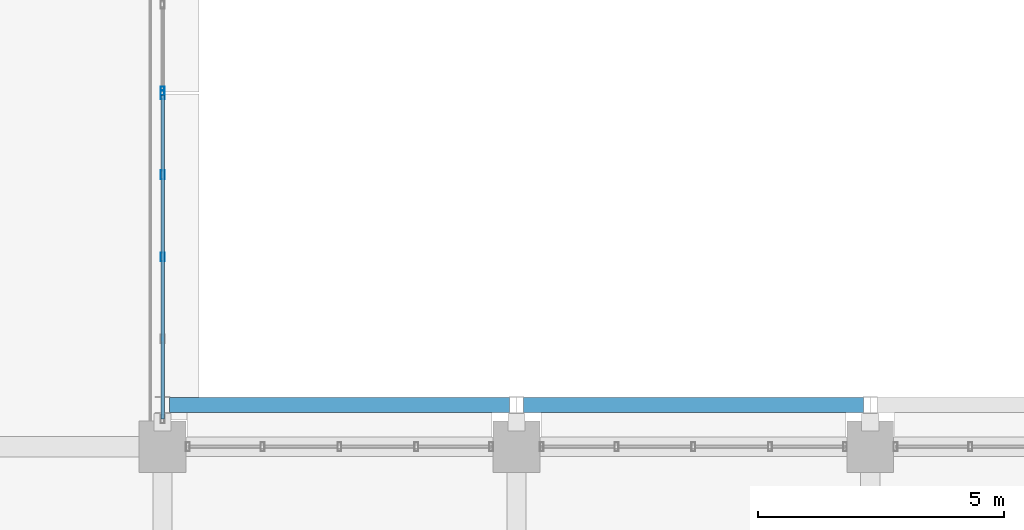
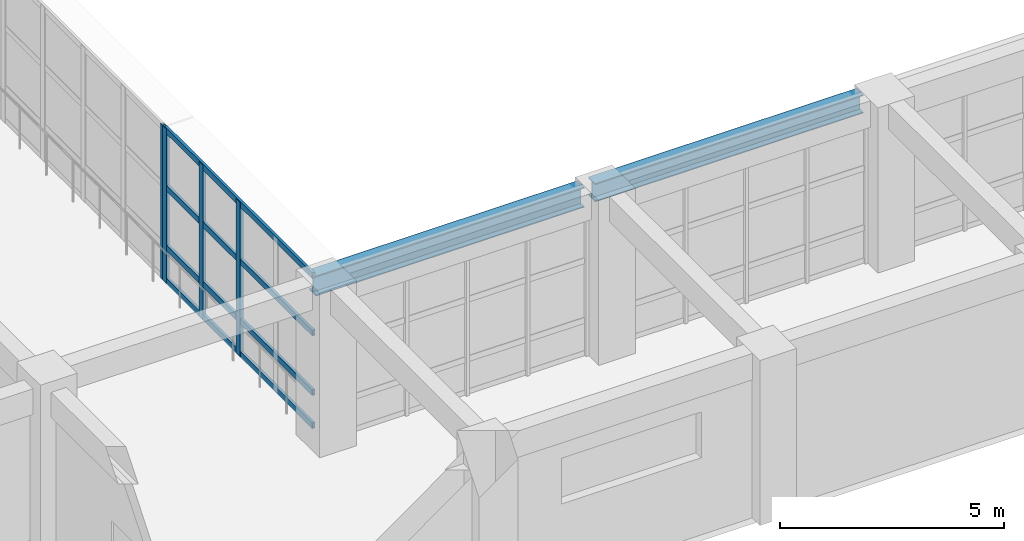
# One storey, part 32 of 171: 8 members, 2 beams, 2 elements without a shape of their own.
"""IFC4 building model written with IfcOpenShell, lengths in metres."""

from ifc_helpers import new_model, si_unit, direction, frame, origin, origin_2d, place, context, subcontext, project, spatial, hollow_rectangle, i_section, extrude, material, material_profile, profile_set, type_object, element, aggregate, save


model = new_model("IFC4")

# Units and contexts
model_context = context("Model", 3, precision=1e-05, world=origin(), true_north=direction((0.0, 1.0)))
body_context = subcontext(model_context, "Body", "Model", "MODEL_VIEW")
ifc_project = project(units=[si_unit("LENGTHUNIT", "METRE"), si_unit("AREAUNIT", "SQUARE_METRE"), si_unit("VOLUMEUNIT", "CUBIC_METRE"), si_unit("PLANEANGLEUNIT", "RADIAN"), si_unit("MASSUNIT", "GRAM", prefix="KILO")], contexts=[model_context])

# Site, building, storey
site_placement = place(None, origin())
site = spatial("IfcSite", under=ifc_project, at=site_placement, CompositionType="ELEMENT")
building_placement = place(site_placement, origin())
building = spatial("IfcBuilding", under=site, at=building_placement, Name="Thalmaran Polytechnic", CompositionType="ELEMENT")
storey_placement = place(building_placement, frame((0.0, 0.0, 5.39990234375)))
storey = spatial("IfcBuildingStorey", under=building, at=storey_placement, Name="L01", CompositionType="ELEMENT", Elevation=5.39990234375)

# Beams
ifc_material_1 = material(Name="Steel S355", Category="steel")
ifc_material_profile_1 = material_profile(ifc_material_1, i_section(OverallWidth=0.300048828125, OverallDepth=0.550048828125, WebThickness=0.014892578125, FlangeThickness=0.029052734375, at=origin_2d()), Name="HEB 550")
ifc_profile_set_1 = profile_set([ifc_material_profile_1], Name="Steel S355")
beam_type_1 = type_object("IfcBeamType", Name="BM-CRN1", PredefinedType="BEAM", material=ifc_profile_set_1)
beam_1_placement = place(storey_placement, frame((115.340087890625, 8.050048828125, 3.72509765625), z_axis=(1.0, 0.0, 0.0), x_axis=(0.0, 1.0, 0.0)))
element("IfcBeam", 1, at=beam_1_placement, inside=storey, type_object=beam_type_1, Name="Workshop Crane Runway Beam Y1-16", PredefinedType="BEAM", context=body_context, shape_type="SweptSolid", body=[
    extrude(i_section(OverallWidth=0.300048828125, OverallDepth=0.550048828125, WebThickness=0.014892578125, FlangeThickness=0.029052734375, at=origin_2d()), origin(), (0.0, 0.0, 1.0), 6.919921875),
])
ifc_material_profile_2 = material_profile(ifc_material_1, i_section(OverallWidth=0.300048828125, OverallDepth=0.5, WebThickness=0.014404296875, FlangeThickness=0.028076171875, at=origin_2d()), Name="HEB 500")
ifc_profile_set_2 = profile_set([ifc_material_profile_2], Name="Steel S355")
beam_type_2 = type_object("IfcBeamType", Name="BM-CRN2", PredefinedType="BEAM", material=ifc_profile_set_2)
beam_2_placement = place(storey_placement, frame((122.5400390625, 8.050048828125, 3.75), z_axis=(1.0, 0.0, 0.0), x_axis=(0.0, 1.0, 0.0)))
element("IfcBeam", 2, at=beam_2_placement, inside=storey, type_object=beam_type_2, Name="Workshop Crane Runway Beam Y1-17", PredefinedType="BEAM", context=body_context, shape_type="SweptSolid", body=[
    extrude(i_section(OverallWidth=0.300048828125, OverallDepth=0.5, WebThickness=0.014404296875, FlangeThickness=0.028076171875, at=origin_2d()), origin(), (0.0, 0.0, 1.0), 6.919921875),
])

# Curtain wall, member
ifc_material_2 = material(Name="Aluminium 6063-T6", Category="aluminium")
curtain_wall_type = type_object("IfcCurtainWallType", Name="CW-UC02", PredefinedType="USERDEFINED", material=ifc_material_2)
curtain_wall_1_placement = place(storey_placement, origin())
curtain_wall_1 = element("IfcCurtainWall", 3, at=curtain_wall_1_placement, inside=storey, type_object=curtain_wall_type, Name="Curtain Wall CW-L01-109", ObjectType="UNITISED CURTAIN WALL", PredefinedType="USERDEFINED")
ifc_material_profile_3 = material_profile(ifc_material_2, hollow_rectangle(XDim=0.080078125, YDim=0.179931640625, WallThickness=0.0048828125, at=origin_2d()), Name="RHS 180x80x5.0")
ifc_profile_set_3 = profile_set([ifc_material_profile_3], Name="Aluminium 6063-T6")
member_type_1 = type_object("IfcMemberType", Name="CW-MUL1", PredefinedType="MULLION", material=ifc_profile_set_3)
member_1_placement = place(storey_placement, frame((115.199951171875, 14.43994140625, 0.0), z_axis=(0.0, 0.0, 1.0), x_axis=(1.0, 0.0, 0.0)))
member_1 = element("IfcMember", 4, at=member_1_placement, type_object=member_type_1, Name="CW-L01-109 Mullion 5", PredefinedType="MULLION", context=body_context, shape_type="SweptSolid", body=[
    extrude(hollow_rectangle(XDim=0.080078125, YDim=0.179931640625, WallThickness=0.0048828125, at=origin_2d()), origin(), (0.0, 0.0, 1.0), 4.210205078125),
])
aggregate(curtain_wall_1, [member_1])

# Curtain wall, members
curtain_wall_2_placement = place(storey_placement, origin())
curtain_wall_2 = element("IfcCurtainWall", 5, at=curtain_wall_2_placement, inside=storey, type_object=curtain_wall_type, Name="Curtain Wall CW-L01-110", ObjectType="UNITISED CURTAIN WALL", PredefinedType="USERDEFINED")
member_2_placement = place(storey_placement, frame((115.199951171875, 14.360107421875, 0.0), z_axis=(0.0, 0.0, 1.0), x_axis=(1.0, 0.0, 0.0)))
member_2 = element("IfcMember", 6, at=member_2_placement, type_object=member_type_1, Name="CW-L01-110 Mullion 1", PredefinedType="MULLION", context=body_context, shape_type="SweptSolid", body=[
    extrude(hollow_rectangle(XDim=0.080078125, YDim=0.179931640625, WallThickness=0.0048828125, at=origin_2d()), origin(), (0.0, 0.0, 1.0), 4.210205078125),
])
member_3_placement = place(storey_placement, frame((115.199951171875, 12.731201171875, 0.0), z_axis=(0.0, 0.0, 1.0), x_axis=(1.0, 0.0, 0.0)))
member_3 = element("IfcMember", 7, at=member_3_placement, type_object=member_type_1, Name="CW-L01-110 Mullion 2", PredefinedType="MULLION", context=body_context, shape_type="SweptSolid", body=[
    extrude(hollow_rectangle(XDim=0.080078125, YDim=0.179931640625, WallThickness=0.0048828125, at=origin_2d()), origin(), (0.0, 0.0, 1.0), 4.210205078125),
])
member_4_placement = place(storey_placement, frame((115.199951171875, 11.0625, 0.0), z_axis=(0.0, 0.0, 1.0), x_axis=(1.0, 0.0, 0.0)))
member_4 = element("IfcMember", 8, at=member_4_placement, type_object=member_type_1, Name="CW-L01-110 Mullion 3", PredefinedType="MULLION", context=body_context, shape_type="SweptSolid", body=[
    extrude(hollow_rectangle(XDim=0.080078125, YDim=0.179931640625, WallThickness=0.0048828125, at=origin_2d()), origin(), (0.0, 0.0, 1.0), 4.210205078125),
])
ifc_material_profile_4 = material_profile(ifc_material_2, hollow_rectangle(XDim=0.070068359375, YDim=0.159912109375, WallThickness=0.00390625, at=origin_2d()), Name="AL 160x70x4.0")
ifc_profile_set_4 = profile_set([ifc_material_profile_4], Name="Aluminium 6063-T6")
member_type_2 = type_object("IfcMemberType", Name="CW-TRN1", PredefinedType="USERDEFINED", material=ifc_profile_set_4)
member_5_placement = place(storey_placement, frame((115.199951171875, 14.360107421875, 0.06005859375), z_axis=(0.0, -1.0, 0.0), x_axis=(1.0, 0.0, 0.0)))
member_5 = element("IfcMember", 9, at=member_5_placement, type_object=member_type_2, Name="CW-L01-110 Transom 1", ObjectType="TRANSOM", PredefinedType="USERDEFINED", context=body_context, shape_type="SweptSolid", body=[
    extrude(hollow_rectangle(XDim=0.070068359375, YDim=0.159912109375, WallThickness=0.00390625, at=origin_2d()), origin(), (0.0, 0.0, 1.0), 6.59521484375),
])
member_6_placement = place(storey_placement, frame((115.199951171875, 14.360107421875, 0.960205078125), z_axis=(0.0, -1.0, 0.0), x_axis=(1.0, 0.0, 0.0)))
member_6 = element("IfcMember", 10, at=member_6_placement, type_object=member_type_2, Name="CW-L01-110 Transom 2", ObjectType="TRANSOM", PredefinedType="USERDEFINED", context=body_context, shape_type="SweptSolid", body=[
    extrude(hollow_rectangle(XDim=0.070068359375, YDim=0.159912109375, WallThickness=0.00390625, at=origin_2d()), origin(), (0.0, 0.0, 1.0), 6.59521484375),
])
member_7_placement = place(storey_placement, frame((115.199951171875, 14.360107421875, 2.585205078125), z_axis=(0.0, -1.0, 0.0), x_axis=(1.0, 0.0, 0.0)))
member_7 = element("IfcMember", 11, at=member_7_placement, type_object=member_type_2, Name="CW-L01-110 Transom 3", ObjectType="TRANSOM", PredefinedType="USERDEFINED", context=body_context, shape_type="SweptSolid", body=[
    extrude(hollow_rectangle(XDim=0.070068359375, YDim=0.159912109375, WallThickness=0.00390625, at=origin_2d()), origin(), (0.0, 0.0, 1.0), 6.59521484375),
])
member_8_placement = place(storey_placement, frame((115.199951171875, 14.360107421875, 4.150146484375), z_axis=(0.0, -1.0, 0.0), x_axis=(1.0, 0.0, 0.0)))
member_8 = element("IfcMember", 12, at=member_8_placement, type_object=member_type_2, Name="CW-L01-110 Transom 4", ObjectType="TRANSOM", PredefinedType="USERDEFINED", context=body_context, shape_type="SweptSolid", body=[
    extrude(hollow_rectangle(XDim=0.070068359375, YDim=0.159912109375, WallThickness=0.00390625, at=origin_2d()), origin(), (0.0, 0.0, 1.0), 6.59521484375),
])
aggregate(curtain_wall_2, [member_2, member_3, member_4, member_5, member_6, member_7, member_8])

save(model, "model.ifc")
